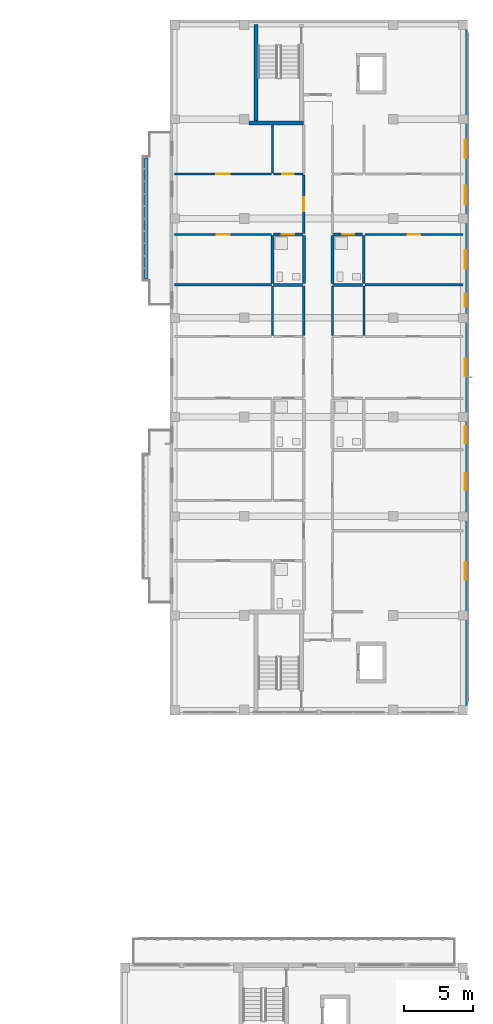
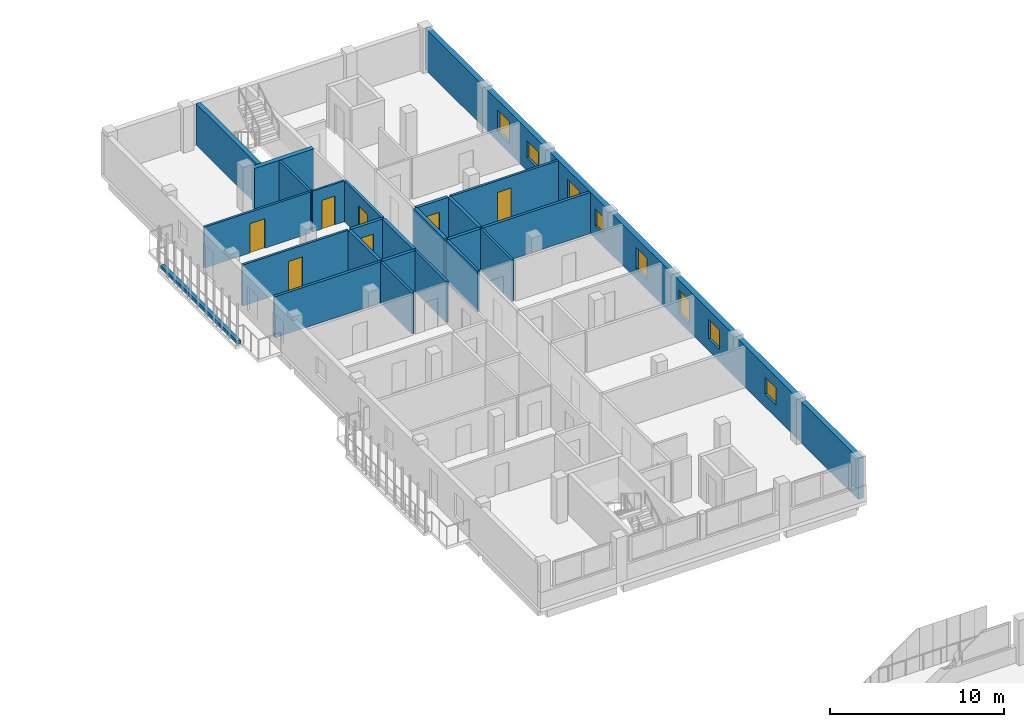
# One storey, part 38 of 56: 24 walls, 8 windows, 7 doors, 15 openings.
"""IFC4 building model written with IfcOpenShell, lengths in metres."""

import ifcopenshell
import ifcopenshell.guid

model = None  # the IFC model being written
_history = None  # IfcOwnerHistory: only IFC2X3 demands one
_inside = {}  # id of a spatial element -> (the spatial element, [elements in it])
_under = {}  # id of a project, library or spatial element -> (it, [spatial elements below it])
_declared = {}  # id of a project -> (the project, [libraries it declares])
_typed = {}  # id of a type object -> (the type object, [elements of that type])
_made_of = {}  # id of a material, layer set ... -> (it, [elements and type objects made of it])


def new_model(schema):
    """Start an empty IFC model of exactly this schema.

    Asked for "IFC4X3", IfcOpenShell would pick the latest addendum, in which some entities
    have other attributes; the version numbers below select the first issue.
    IFC2X3 requires an IfcOwnerHistory on every rooted entity: one is made here for all.
    """
    global model, _history
    if schema == "IFC4X3":
        model = ifcopenshell.file(schema_version=(4, 3, 0, 0))
    else:
        model = ifcopenshell.file(schema=schema)
    _inside.clear()
    _under.clear()
    _declared.clear()
    _typed.clear()
    _made_of.clear()
    _history = None
    if model.schema == "IFC2X3":
        org = make("IfcOrganization", Name="unknown")
        user = make(
            "IfcPersonAndOrganization",
            ThePerson=make("IfcPerson", FamilyName="unknown"),
            TheOrganization=org,
        )
        app = make(
            "IfcApplication",
            ApplicationDeveloper=org,
            Version="unknown",
            ApplicationFullName="unknown",
            ApplicationIdentifier="unknown",
        )
        _history = make(
            "IfcOwnerHistory",
            OwningUser=user,
            OwningApplication=app,
            ChangeAction="ADDED",
            CreationDate=0,
        )
    return model


def make(cls, **values):
    """One entity of the class cls with the attributes given. An attribute that is None is left unset."""
    return model.create_entity(
        cls, **{name: value for name, value in values.items() if value is not None}
    )


def rooted(cls, **values):
    """An entity with a GlobalId (a new one), such as an element, a storey or a relation."""
    return make(cls, GlobalId=ifcopenshell.guid.new(), OwnerHistory=_history, **values)


def si_unit(unit_type, name, prefix=None):
    """IfcSIUnit, for example si_unit("LENGTHUNIT", "METRE", prefix="MILLI")."""
    return make("IfcSIUnit", UnitType=unit_type, Prefix=prefix, Name=name)


def derived_unit(unit_type, elements):
    """IfcDerivedUnit: a product of units, each with its exponent."""
    return make(
        "IfcDerivedUnit",
        Elements=[
            make("IfcDerivedUnitElement", Unit=unit, Exponent=power)
            for unit, power in elements
        ],
        UnitType=unit_type,
    )


def assignment(units):
    """IfcUnitAssignment: the units of a project."""
    return None if units is None else make("IfcUnitAssignment", Units=units)


def point(xyz):
    """IfcCartesianPoint."""
    return None if xyz is None else make("IfcCartesianPoint", Coordinates=xyz)


def direction(xyz):
    """IfcDirection."""
    return None if xyz is None else make("IfcDirection", DirectionRatios=xyz)


def frame(location, z_axis=None, x_axis=None):
    """IfcAxis2Placement3D, a coordinate frame: its origin and axes. An axis left out is left unset."""
    return make(
        "IfcAxis2Placement3D",
        Location=point(location),
        Axis=direction(z_axis),
        RefDirection=direction(x_axis),
    )


def frame_2d(location, x_axis=None):
    """IfcAxis2Placement2D, a coordinate frame in the plane: its origin and x axis."""
    return make(
        "IfcAxis2Placement2D", Location=point(location), RefDirection=direction(x_axis)
    )


def origin():
    """The frame at (0, 0, 0) with its axes left unset."""
    return frame((0.0, 0.0, 0.0))


def place(relative_to, where):
    """IfcLocalPlacement: puts the frame where relative to a parent placement (None: the world)."""
    return make(
        "IfcLocalPlacement", PlacementRelTo=relative_to, RelativePlacement=where
    )


def context(
    kind, dimensions, precision=None, world=None, true_north=None, identifier=None
):
    """IfcGeometricRepresentationContext, for example the 3D "Model" context."""
    return make(
        "IfcGeometricRepresentationContext",
        ContextIdentifier=identifier,
        ContextType=kind,
        CoordinateSpaceDimension=dimensions,
        Precision=precision,
        WorldCoordinateSystem=world,
        TrueNorth=true_north,
    )


def subcontext(parent, identifier, kind, view, scale=None):
    """IfcGeometricRepresentationSubContext, for example "Body" below "Model"."""
    return make(
        "IfcGeometricRepresentationSubContext",
        ContextIdentifier=identifier,
        ContextType=kind,
        ParentContext=parent,
        TargetScale=scale,
        TargetView=view,
    )


def project(units=None, contexts=None):
    """IfcProject with its units and contexts."""
    return rooted(
        "IfcProject",
        Name="project",
        RepresentationContexts=contexts,
        UnitsInContext=assignment(units),
    )


def spatial(cls, under=None, at=None, **own):
    """A site, building, storey or space (cls), placed at a placement, below another one or the project."""
    s = rooted(cls, ObjectPlacement=at, **own)
    if under is not None:
        _under.setdefault(under.id(), (under, []))[1].append(s)
    return s


def profile(cls, at=None, kind="AREA", **sizes):
    """A parametric profile (cls). Its sizes go by their IFC names, for example OverallWidth=200.0."""
    return make(cls, ProfileType=kind, Position=at, **sizes)


def rectangle(**sizes):
    """IfcRectangleProfileDef."""
    return profile("IfcRectangleProfileDef", **sizes)


def extrude(swept, where, along, depth):
    """IfcExtrudedAreaSolid: the profile swept, set in the frame where, extruded along a direction by depth."""
    return make(
        "IfcExtrudedAreaSolid",
        SweptArea=swept,
        Position=where,
        ExtrudedDirection=direction(along),
        Depth=depth,
    )


def shape(context_of_items, identifier, shape_type, items):
    """IfcShapeRepresentation: the items that make up one representation, for example the "Body"."""
    return make(
        "IfcShapeRepresentation",
        ContextOfItems=context_of_items,
        RepresentationIdentifier=identifier,
        RepresentationType=shape_type,
        Items=items,
    )


def material(Name=None, Category=None):
    """IfcMaterial."""
    return make("IfcMaterial", Name=Name, Category=Category)


def layer(
    of_material, thickness, ventilated=None, Name=None, Category=None, Priority=None
):
    """IfcMaterialLayer: one layer of a wall or slab, of a material (None: an air gap)."""
    return make(
        "IfcMaterialLayer",
        Material=of_material,
        LayerThickness=thickness,
        IsVentilated=ventilated,
        Name=Name,
        Category=Category,
        Priority=Priority,
    )


def layer_set(layers, Name=None):
    """IfcMaterialLayerSet."""
    return make("IfcMaterialLayerSet", MaterialLayers=layers, LayerSetName=Name)


def made_of(thing, what):
    """Note that an element or type object is made of a material, layer set ...; save() writes the relation."""
    if what is not None:
        _made_of.setdefault(what.id(), (what, []))[1].append(thing)
    return thing


def type_object(cls, material=None, **own):
    """A type object (cls), such as IfcWallType, which elements share."""
    return made_of(rooted(cls, **own), material)


def element(
    cls,
    number,
    at=None,
    inside=None,
    cuts=None,
    type_object=None,
    material=None,
    context=None,
    identifier="Body",
    shape_type=None,
    held_by="IfcProductDefinitionShape",
    body=None,
    shapes=None,
    **own,
):
    """One element of the class cls, such as IfcWall. Its Tag is "e" and its number.

    at: its placement. inside: the storey or other place that contains it. cuts: it is an
    opening in that element (IfcRelVoidsElement). A single representation is given by context,
    identifier, shape_type and body (its items); several are given by shapes. held_by: the class
    of the entity that holds the representations. save() writes the other relations.
    """
    e = rooted(cls, Tag="e%d" % number, ObjectPlacement=at, **own)
    if body is not None:
        shapes = [shape(context, identifier, shape_type, body)]
    if shapes is not None:
        e.Representation = make(held_by, Representations=shapes)
    if inside is not None:
        _inside.setdefault(inside.id(), (inside, []))[1].append(e)
    if cuts is not None:
        rooted(
            "IfcRelVoidsElement", RelatingBuildingElement=cuts, RelatedOpeningElement=e
        )
    if type_object is not None:
        _typed.setdefault(type_object.id(), (type_object, []))[1].append(e)
    return made_of(e, material)


def fill(opening, filler):
    """IfcRelFillsElement: the door or window that sits in an opening."""
    return rooted(
        "IfcRelFillsElement",
        RelatingOpeningElement=opening,
        RelatedBuildingElement=filler,
    )


def aggregate(whole, parts):
    """IfcRelAggregates: a whole, such as a stair, and the parts it consists of."""
    return rooted("IfcRelAggregates", RelatingObject=whole, RelatedObjects=parts)


def save(model, path):
    """Write the relations noted so far, then the file.

    IfcRelAggregates (storeys below a building ...), IfcRelContainedInSpatialStructure (elements
    in a storey), IfcRelDefinesByType, IfcRelAssociatesMaterial and IfcRelDeclares: one each for
    every whole, place, type object, material and project.
    """
    for whole, parts in _under.values():
        aggregate(whole, parts)
    for where, things in _inside.values():
        rooted(
            "IfcRelContainedInSpatialStructure",
            RelatedElements=things,
            RelatingStructure=where,
        )
    for kind, things in _typed.values():
        rooted("IfcRelDefinesByType", RelatedObjects=things, RelatingType=kind)
    for what, things in _made_of.values():
        rooted("IfcRelAssociatesMaterial", RelatedObjects=things, RelatingMaterial=what)
    for by, libraries in _declared.values():
        rooted("IfcRelDeclares", RelatingContext=by, RelatedDefinitions=libraries)
    model.write(path)


model = new_model("IFC4")

# Units and contexts
model_context = context("Model", 3, precision=1e-05, world=origin(), true_north=direction((0.0, 1.0)))
body_context = subcontext(model_context, "Body", "Model", "MODEL_VIEW")
ifc_project = project(units=[si_unit("LENGTHUNIT", "METRE"), si_unit("AREAUNIT", "SQUARE_METRE"), si_unit("VOLUMEUNIT", "CUBIC_METRE"), si_unit("PLANEANGLEUNIT", "RADIAN"), si_unit("MASSUNIT", "GRAM", prefix="KILO"), derived_unit("THERMALTRANSMITTANCEUNIT", [(si_unit("MASSUNIT", "GRAM", prefix="KILO"), 1), (si_unit("TIMEUNIT", "SECOND"), -3), (si_unit("THERMODYNAMICTEMPERATUREUNIT", "KELVIN"), -1)])], contexts=[model_context])

# Site, building, storey
site_placement = place(None, origin())
site = spatial("IfcSite", under=ifc_project, at=site_placement, CompositionType="ELEMENT")
building_placement = place(site_placement, origin())
building = spatial("IfcBuilding", under=site, at=building_placement, Name="Ochrekiln Boulevard Commons", CompositionType="ELEMENT")
storey_placement = place(building_placement, frame((0.0, 0.0, 12.074951171875)))
storey = spatial("IfcBuildingStorey", under=building, at=storey_placement, Name="L03", CompositionType="ELEMENT", Elevation=12.074951171875)

# Wall, openings, windows
ifc_material_1 = material(Name="Iron-spot brown clinker brick masonry ASTM C216 Grade SW", Category="masonry")
ifc_layer_1 = layer(ifc_material_1, 0.340087890625)
ifc_layer_set_1 = layer_set([ifc_layer_1], Name="Iron-spot brown clinker brick masonry ASTM C216 Grade SW")
wall_type_1 = type_object("IfcWallType", Name="WL-EXT-IRON-340", PredefinedType="SOLIDWALL", material=ifc_layer_set_1)
wall_1_placement = place(storey_placement, frame((172.6298828125, 68.739990234375, 0.0), z_axis=(0.0, 0.0, 1.0), x_axis=(0.0, 1.0, 0.0)))
wall_1 = element("IfcWall", 1, at=wall_1_placement, inside=storey, type_object=wall_type_1, Name="Block B L03 E Exterior Wall", PredefinedType="SOLIDWALL", context=body_context, shape_type="SweptSolid", body=[
    extrude(rectangle(XDim=49.719970703125, YDim=0.340087890625, at=frame_2d((24.85986328125, 0.0))), origin(), (0.0, 0.0, 1.0), 2.89013671875),
])
opening_1_placement = place(wall_1_placement, frame((9.471923828125, 0.0, 0.89990234375)))
opening_1 = element("IfcOpeningElement", 2, at=opening_1_placement, cuts=wall_1, Name="Opening W-16", PredefinedType="OPENING", context=body_context, shape_type="SweptSolid", body=[
    extrude(rectangle(XDim=1.25, YDim=1.199951171875, at=frame_2d((0.625, 0.60009765625))), frame((0.0, 0.179931640625, 0.0), z_axis=(0.0, -1.0, 0.0), x_axis=(1.0, 0.0, 0.0)), (0.0, 0.0, 1.0), 0.360107421875),
])
opening_2_placement = place(wall_1_placement, frame((15.93310546875, 0.0, 0.85498046875)))
opening_2 = element("IfcOpeningElement", 3, at=opening_2_placement, cuts=wall_1, Name="Opening W-17", PredefinedType="OPENING", context=body_context, shape_type="SweptSolid", body=[
    extrude(rectangle(XDim=1.25, YDim=1.35009765625, at=frame_2d((0.625, 0.675048828125))), frame((0.0, 0.179931640625, 0.0), z_axis=(0.0, -1.0, 0.0), x_axis=(1.0, 0.0, 0.0)), (0.0, 0.0, 1.0), 0.360107421875),
])
opening_3_placement = place(wall_1_placement, frame((24.235107421875, 0.0, 0.705078125)))
opening_3 = element("IfcOpeningElement", 4, at=opening_3_placement, cuts=wall_1, Name="Opening W-18", PredefinedType="OPENING", context=body_context, shape_type="SweptSolid", body=[
    extrude(rectangle(XDim=1.25, YDim=1.5, at=frame_2d((0.625, 0.75))), frame((0.0, 0.179931640625, 0.0), z_axis=(0.0, -1.0, 0.0), x_axis=(1.0, 0.0, 0.0)), (0.0, 0.0, 1.0), 0.360107421875),
])
opening_4_placement = place(wall_1_placement, frame((19.35302734375, 0.0, 0.554931640625)))
opening_4 = element("IfcOpeningElement", 5, at=opening_4_placement, cuts=wall_1, Name="Opening W-19", PredefinedType="OPENING", context=body_context, shape_type="SweptSolid", body=[
    extrude(rectangle(XDim=1.25, YDim=1.64990234375, at=frame_2d((0.625, 0.824951171875))), frame((0.0, 0.179931640625, 0.0), z_axis=(0.0, -1.0, 0.0), x_axis=(1.0, 0.0, 0.0)), (0.0, 0.0, 1.0), 0.360107421875),
])
opening_5_placement = place(wall_1_placement, frame((29.26708984375, 0.0, 0.85009765625)))
opening_5 = element("IfcOpeningElement", 6, at=opening_5_placement, cuts=wall_1, Name="Opening W-01", PredefinedType="OPENING", context=body_context, shape_type="SweptSolid", body=[
    extrude(rectangle(XDim=0.949951171875, YDim=1.199951171875, at=frame_2d((0.47509765625, 0.60009765625))), frame((0.0, 0.179931640625, 0.0), z_axis=(0.0, -1.0, 0.0), x_axis=(1.0, 0.0, 0.0)), (0.0, 0.0, 1.0), 0.360107421875),
])
opening_6_placement = place(wall_1_placement, frame((36.694091796875, 0.0, 0.89990234375)))
opening_6 = element("IfcOpeningElement", 7, at=opening_6_placement, cuts=wall_1, Name="Opening W-21", PredefinedType="OPENING", context=body_context, shape_type="SweptSolid", body=[
    extrude(rectangle(XDim=1.35009765625, YDim=1.199951171875, at=frame_2d((0.675048828125, 0.60009765625))), frame((0.0, 0.179931640625, 0.0), z_axis=(0.0, -1.0, 0.0), x_axis=(1.0, 0.0, 0.0)), (0.0, 0.0, 1.0), 0.360107421875),
])
opening_7_placement = place(wall_1_placement, frame((32.006103515625, 0.0, 0.85498046875)))
opening_7 = element("IfcOpeningElement", 8, at=opening_7_placement, cuts=wall_1, Name="Opening W-22", PredefinedType="OPENING", context=body_context, shape_type="SweptSolid", body=[
    extrude(rectangle(XDim=1.35009765625, YDim=1.35009765625, at=frame_2d((0.675048828125, 0.675048828125))), frame((0.0, 0.179931640625, 0.0), z_axis=(0.0, -1.0, 0.0), x_axis=(1.0, 0.0, 0.0)), (0.0, 0.0, 1.0), 0.360107421875),
])
opening_8_placement = place(wall_1_placement, frame((40.0380859375, 0.0, 0.705078125)))
opening_8 = element("IfcOpeningElement", 9, at=opening_8_placement, cuts=wall_1, Name="Opening W-23", PredefinedType="OPENING", context=body_context, shape_type="SweptSolid", body=[
    extrude(rectangle(XDim=1.35009765625, YDim=1.5, at=frame_2d((0.675048828125, 0.75))), frame((0.0, 0.179931640625, 0.0), z_axis=(0.0, -1.0, 0.0), x_axis=(1.0, 0.0, 0.0)), (0.0, 0.0, 1.0), 0.360107421875),
])
ifc_material_2 = material(Name="Thermally broken aluminium-clad oak frame", Category="aluminium")
window_type_1 = type_object("IfcWindowType", Name="WIN-EXT-01", PartitioningType="SINGLE_PANEL", PredefinedType="WINDOW", material=ifc_material_2)
window_1_placement = place(opening_5_placement, origin())
window_1 = element("IfcWindow", 10, at=window_1_placement, inside=storey, type_object=window_type_1, Name="Block B L03 Punched Masonry Window W-01", OverallHeight=1.199951171875, OverallWidth=0.949951171875, PartitioningType="SINGLE_PANEL", PredefinedType="WINDOW", context=body_context, shape_type="SweptSolid", body=[
    extrude(rectangle(XDim=0.949951171875, YDim=1.199951171875, at=frame_2d((0.47509765625, 0.60009765625))), frame((0.0, 0.030029296875, 0.0), z_axis=(0.0, -1.0, 0.0), x_axis=(1.0, 0.0, 0.0)), (0.0, 0.0, 1.0), 0.06005859375),
])
fill(opening_5, window_1)
window_type_2 = type_object("IfcWindowType", Name="WIN-EXT-16", PartitioningType="SINGLE_PANEL", PredefinedType="WINDOW", material=ifc_material_2)
window_2_placement = place(opening_1_placement, origin())
window_2 = element("IfcWindow", 11, at=window_2_placement, inside=storey, type_object=window_type_2, Name="Block B L03 Punched Masonry Window W-16", OverallHeight=1.199951171875, OverallWidth=1.25, PartitioningType="SINGLE_PANEL", PredefinedType="WINDOW", context=body_context, shape_type="SweptSolid", body=[
    extrude(rectangle(XDim=1.25, YDim=1.199951171875, at=frame_2d((0.625, 0.60009765625))), frame((0.0, 0.030029296875, 0.0), z_axis=(0.0, -1.0, 0.0), x_axis=(1.0, 0.0, 0.0)), (0.0, 0.0, 1.0), 0.06005859375),
])
fill(opening_1, window_2)
window_type_3 = type_object("IfcWindowType", Name="WIN-EXT-17", PartitioningType="SINGLE_PANEL", PredefinedType="WINDOW", material=ifc_material_2)
window_3_placement = place(opening_2_placement, origin())
window_3 = element("IfcWindow", 12, at=window_3_placement, inside=storey, type_object=window_type_3, Name="Block B L03 Punched Masonry Window W-17", OverallHeight=1.35009765625, OverallWidth=1.25, PartitioningType="SINGLE_PANEL", PredefinedType="WINDOW", context=body_context, shape_type="SweptSolid", body=[
    extrude(rectangle(XDim=1.25, YDim=1.35009765625, at=frame_2d((0.625, 0.675048828125))), frame((0.0, 0.030029296875, 0.0), z_axis=(0.0, -1.0, 0.0), x_axis=(1.0, 0.0, 0.0)), (0.0, 0.0, 1.0), 0.06005859375),
])
fill(opening_2, window_3)
window_type_4 = type_object("IfcWindowType", Name="WIN-EXT-18", PartitioningType="SINGLE_PANEL", PredefinedType="WINDOW", material=ifc_material_2)
window_4_placement = place(opening_3_placement, origin())
window_4 = element("IfcWindow", 13, at=window_4_placement, inside=storey, type_object=window_type_4, Name="Block B L03 Punched Masonry Window W-18", OverallHeight=1.5, OverallWidth=1.25, PartitioningType="SINGLE_PANEL", PredefinedType="WINDOW", context=body_context, shape_type="SweptSolid", body=[
    extrude(rectangle(XDim=1.25, YDim=1.5, at=frame_2d((0.625, 0.75))), frame((0.0, 0.030029296875, 0.0), z_axis=(0.0, -1.0, 0.0), x_axis=(1.0, 0.0, 0.0)), (0.0, 0.0, 1.0), 0.06005859375),
])
fill(opening_3, window_4)
window_type_5 = type_object("IfcWindowType", Name="WIN-EXT-19", PartitioningType="SINGLE_PANEL", PredefinedType="WINDOW", material=ifc_material_2)
window_5_placement = place(opening_4_placement, origin())
window_5 = element("IfcWindow", 14, at=window_5_placement, inside=storey, type_object=window_type_5, Name="Block B L03 Punched Masonry Window W-19", OverallHeight=1.64990234375, OverallWidth=1.25, PartitioningType="SINGLE_PANEL", PredefinedType="WINDOW", context=body_context, shape_type="SweptSolid", body=[
    extrude(rectangle(XDim=1.25, YDim=1.64990234375, at=frame_2d((0.625, 0.824951171875))), frame((0.0, 0.030029296875, 0.0), z_axis=(0.0, -1.0, 0.0), x_axis=(1.0, 0.0, 0.0)), (0.0, 0.0, 1.0), 0.06005859375),
])
fill(opening_4, window_5)
window_type_6 = type_object("IfcWindowType", Name="WIN-EXT-21", PartitioningType="SINGLE_PANEL", PredefinedType="WINDOW", material=ifc_material_2)
window_6_placement = place(opening_6_placement, origin())
window_6 = element("IfcWindow", 15, at=window_6_placement, inside=storey, type_object=window_type_6, Name="Block B L03 Punched Masonry Window W-21", OverallHeight=1.199951171875, OverallWidth=1.35009765625, PartitioningType="SINGLE_PANEL", PredefinedType="WINDOW", context=body_context, shape_type="SweptSolid", body=[
    extrude(rectangle(XDim=1.35009765625, YDim=1.199951171875, at=frame_2d((0.675048828125, 0.60009765625))), frame((0.0, 0.030029296875, 0.0), z_axis=(0.0, -1.0, 0.0), x_axis=(1.0, 0.0, 0.0)), (0.0, 0.0, 1.0), 0.06005859375),
])
fill(opening_6, window_6)
window_type_7 = type_object("IfcWindowType", Name="WIN-EXT-22", PartitioningType="SINGLE_PANEL", PredefinedType="WINDOW", material=ifc_material_2)
window_7_placement = place(opening_7_placement, origin())
window_7 = element("IfcWindow", 16, at=window_7_placement, inside=storey, type_object=window_type_7, Name="Block B L03 Punched Masonry Window W-22", OverallHeight=1.35009765625, OverallWidth=1.35009765625, PartitioningType="SINGLE_PANEL", PredefinedType="WINDOW", context=body_context, shape_type="SweptSolid", body=[
    extrude(rectangle(XDim=1.35009765625, YDim=1.35009765625, at=frame_2d((0.675048828125, 0.675048828125))), frame((0.0, 0.030029296875, 0.0), z_axis=(0.0, -1.0, 0.0), x_axis=(1.0, 0.0, 0.0)), (0.0, 0.0, 1.0), 0.06005859375),
])
fill(opening_7, window_7)
window_type_8 = type_object("IfcWindowType", Name="WIN-EXT-23", PartitioningType="SINGLE_PANEL", PredefinedType="WINDOW", material=ifc_material_2)
window_8_placement = place(opening_8_placement, origin())
window_8 = element("IfcWindow", 17, at=window_8_placement, inside=storey, type_object=window_type_8, Name="Block B L03 Punched Masonry Window W-23", OverallHeight=1.5, OverallWidth=1.35009765625, PartitioningType="SINGLE_PANEL", PredefinedType="WINDOW", context=body_context, shape_type="SweptSolid", body=[
    extrude(rectangle(XDim=1.35009765625, YDim=1.5, at=frame_2d((0.675048828125, 0.75))), frame((0.0, 0.030029296875, 0.0), z_axis=(0.0, -1.0, 0.0), x_axis=(1.0, 0.0, 0.0)), (0.0, 0.0, 1.0), 0.06005859375),
])
fill(opening_8, window_8)

# Wall
ifc_material_3 = material(Name="Moisture-resistant cementitious tile backer wall")
ifc_layer_2 = layer(ifc_material_3, 0.199951171875)
ifc_layer_set_2 = layer_set([ifc_layer_2], Name="Moisture-resistant cementitious tile backer wall")
wall_type_2 = type_object("IfcWallType", Name="WL-PLM-200", PredefinedType="PLUMBINGWALL", material=ifc_layer_set_2)
wall_2_placement = place(storey_placement, frame((158.715087890625, 99.583984375, 0.0), z_axis=(0.0, 0.0, 1.0), x_axis=(1.0, 0.0, 0.0)))
element("IfcWall", 18, at=wall_2_placement, inside=storey, type_object=wall_type_2, Name="L03 Interior Wall W-PW200", PredefinedType="PLUMBINGWALL", context=body_context, shape_type="SweptSolid", body=[
    extrude(rectangle(XDim=2.11181640625, YDim=0.199951171875, at=frame_2d((1.055908203125, 0.0))), origin(), (0.0, 0.0, 1.0), 2.8701171875),
])

# Wall, opening, door
wall_3_placement = place(storey_placement, frame((158.719970703125, 103.2470703125, 0.0), z_axis=(0.0, 0.0, 1.0), x_axis=(1.0, 0.0, 0.0)))
wall_3 = element("IfcWall", 19, at=wall_3_placement, inside=storey, type_object=wall_type_2, Name="L03 Interior Wall W-PW200", PredefinedType="PLUMBINGWALL", context=body_context, shape_type="SweptSolid", body=[
    extrude(rectangle(XDim=2.10693359375, YDim=0.199951171875, at=frame_2d((1.053466796875, 0.0))), origin(), (0.0, 0.0, 1.0), 2.8701171875),
])
opening_9_placement = place(wall_3_placement, frame((0.60498046875, 0.0, 0.0)))
opening_9 = element("IfcOpeningElement", 20, at=opening_9_placement, cuts=wall_3, Name="Opening D-L03-490", PredefinedType="OPENING", context=body_context, shape_type="SweptSolid", body=[
    extrude(rectangle(XDim=0.889892578125, YDim=2.030029296875, at=frame_2d((0.44482421875, 1.01513671875))), frame((0.0, 0.10986328125, 0.0), z_axis=(0.0, -1.0, 0.0), x_axis=(1.0, 0.0, 0.0)), (0.0, 0.0, 1.0), 0.219970703125),
])
ifc_material_4 = material(Name="Solid core architectural oak door leaf")
door_type_1 = type_object("IfcDoorType", Name="DR-INT-BTH-089", OperationType="NOTDEFINED", PredefinedType="DOOR", material=ifc_material_4)
door_1_placement = place(opening_9_placement, frame((0.889892578125, 0.0, 0.0), z_axis=(0.0, 0.0, 1.0), x_axis=(-1.0, 0.0, 0.0)))
door_1 = element("IfcDoor", 21, at=door_1_placement, inside=storey, type_object=door_type_1, Name="L03 Interior Door to Apartment Bathroom", OperationType="SINGLE_SWING_RIGHT", OverallHeight=2.030029296875, OverallWidth=0.889892578125, PredefinedType="DOOR", context=body_context, shape_type="SweptSolid", body=[
    extrude(rectangle(XDim=0.889892578125, YDim=2.030029296875, at=frame_2d((0.44482421875, 1.01513671875))), frame((0.0, 0.02490234375, 0.0), z_axis=(0.0, -1.0, 0.0), x_axis=(1.0, 0.0, 0.0)), (0.0, 0.0, 1.0), 0.050048828125),
])
fill(opening_9, door_1)

# Walls
wall_4_placement = place(storey_placement, frame((158.639892578125, 99.674072265625, 0.0), z_axis=(0.0, 0.0, 1.0), x_axis=(0.0, 1.0, 0.0)))
element("IfcWall", 22, at=wall_4_placement, inside=storey, type_object=wall_type_2, Name="L03 Interior Wall W-PW200", PredefinedType="PLUMBINGWALL", context=body_context, shape_type="SweptSolid", body=[
    extrude(rectangle(XDim=3.492919921875, YDim=0.199951171875, at=frame_2d((1.74658203125, 0.0))), origin(), (0.0, 0.0, 1.0), 2.8701171875),
])
wall_5_placement = place(storey_placement, frame((163.072998046875, 99.583984375, 0.0), z_axis=(0.0, 0.0, 1.0), x_axis=(1.0, 0.0, 0.0)))
element("IfcWall", 23, at=wall_5_placement, inside=storey, type_object=wall_type_2, Name="L03 Interior Wall W-PW200", PredefinedType="PLUMBINGWALL", context=body_context, shape_type="SweptSolid", body=[
    extrude(rectangle(XDim=2.10693359375, YDim=0.199951171875, at=frame_2d((1.053466796875, 0.0))), origin(), (0.0, 0.0, 1.0), 2.8701171875),
])

# Wall, opening, door
wall_6_placement = place(storey_placement, frame((163.072998046875, 103.2470703125, 0.0), z_axis=(0.0, 0.0, 1.0), x_axis=(1.0, 0.0, 0.0)))
wall_6 = element("IfcWall", 24, at=wall_6_placement, inside=storey, type_object=wall_type_2, Name="L03 Interior Wall W-PW200", PredefinedType="PLUMBINGWALL", context=body_context, shape_type="SweptSolid", body=[
    extrude(rectangle(XDim=2.10693359375, YDim=0.199951171875, at=frame_2d((1.053466796875, 0.0))), origin(), (0.0, 0.0, 1.0), 2.8701171875),
])
opening_10_placement = place(wall_6_placement, frame((0.612060546875, 0.0, 0.0)))
opening_10 = element("IfcOpeningElement", 25, at=opening_10_placement, cuts=wall_6, Name="Opening D-L03-498", PredefinedType="OPENING", context=body_context, shape_type="SweptSolid", body=[
    extrude(rectangle(XDim=0.889892578125, YDim=2.030029296875, at=frame_2d((0.44482421875, 1.01513671875))), frame((0.0, 0.10986328125, 0.0), z_axis=(0.0, -1.0, 0.0), x_axis=(1.0, 0.0, 0.0)), (0.0, 0.0, 1.0), 0.219970703125),
])
door_2_placement = place(opening_10_placement, frame((0.889892578125, 0.0, 0.0), z_axis=(0.0, 0.0, 1.0), x_axis=(-1.0, 0.0, 0.0)))
door_2 = element("IfcDoor", 26, at=door_2_placement, inside=storey, type_object=door_type_1, Name="L03 Interior Door to Apartment Bathroom", OperationType="SINGLE_SWING_RIGHT", OverallHeight=2.030029296875, OverallWidth=0.889892578125, PredefinedType="DOOR", context=body_context, shape_type="SweptSolid", body=[
    extrude(rectangle(XDim=0.889892578125, YDim=2.030029296875, at=frame_2d((0.44482421875, 1.01513671875))), frame((0.0, 0.02490234375, 0.0), z_axis=(0.0, -1.0, 0.0), x_axis=(1.0, 0.0, 0.0)), (0.0, 0.0, 1.0), 0.050048828125),
])
fill(opening_10, door_2)

# Walls
wall_7_placement = place(storey_placement, frame((165.260009765625, 99.674072265625, 0.0), z_axis=(0.0, 0.0, 1.0), x_axis=(0.0, 1.0, 0.0)))
element("IfcWall", 27, at=wall_7_placement, inside=storey, type_object=wall_type_2, Name="L03 Interior Wall W-PW200", PredefinedType="PLUMBINGWALL", context=body_context, shape_type="SweptSolid", body=[
    extrude(rectangle(XDim=3.492919921875, YDim=0.199951171875, at=frame_2d((1.74658203125, 0.0))), origin(), (0.0, 0.0, 1.0), 2.8701171875),
])
ifc_layer_3 = layer(ifc_material_3, 0.219970703125)
ifc_layer_set_3 = layer_set([ifc_layer_3], Name="Moisture-resistant cementitious tile backer wall")
wall_type_3 = type_object("IfcWallType", Name="WL-PLM-220", PredefinedType="PLUMBINGWALL", material=ifc_layer_set_3)
for number, where, z_axis, x_axis, name in (
    (28, (160.909912109375, 99.674072265625, 0.0), (0.0, 0.0, 1.0), (0.0, 1.0, 0.0), "L03 Interior Wall W-PW220"),
    (29, (162.989990234375, 99.674072265625, 0.0), (0.0, 0.0, 1.0), (0.0, 1.0, 0.0), "L03 Interior Wall W-PW220"),
):
    element("IfcWall", number, at=place(storey_placement, frame(where, z_axis=z_axis, x_axis=x_axis)), inside=storey, type_object=wall_type_3, Name=name, PredefinedType="PLUMBINGWALL", context=body_context, shape_type="SweptSolid", body=[
        extrude(rectangle(XDim=3.492919921875, YDim=0.219970703125, at=frame_2d((1.74658203125, 0.0))), origin(), (0.0, 0.0, 1.0), 2.8701171875),
    ])
ifc_material_5 = material(Name="Glazed architectural terracotta ASTM C1405", Category="masonry")
ifc_layer_4 = layer(ifc_material_5, 0.25)
ifc_layer_set_4 = layer_set([ifc_layer_4], Name="Glazed architectural terracotta ASTM C1405")
wall_type_4 = type_object("IfcWallType", Name="WL-PLN-250", PredefinedType="PARAPET", material=ifc_layer_set_4)
wall_8_placement = place(storey_placement, frame((149.47998046875, 100.010009765625, 0.0), z_axis=(0.0, 0.0, 1.0), x_axis=(0.0, 1.0, 0.0)))
element("IfcWall", 30, at=wall_8_placement, inside=storey, type_object=wall_type_4, Name="Block B L03 Balcony Terracotta Planter Box 2", PredefinedType="PARAPET", context=body_context, shape_type="SweptSolid", body=[
    extrude(rectangle(XDim=8.780029296875, YDim=0.25, at=frame_2d((4.39013671875, 0.0))), origin(), (0.0, 0.0, 1.0), 0.22998046875),
])
ifc_material_6 = material(Name="Fire-rated Type X gypsum board on steel studs", Category="steel")
ifc_layer_5 = layer(ifc_material_6, 0.1650390625)
ifc_layer_set_5 = layer_set([ifc_layer_5], Name="Fire-rated Type X gypsum board on steel studs")
wall_type_5 = type_object("IfcWallType", Name="WL-PT-CORR-165", PredefinedType="PARTITIONING", material=ifc_layer_set_5)
wall_9_placement = place(storey_placement, frame((160.909912109375, 95.919921875, 0.0), z_axis=(0.0, 0.0, 1.0), x_axis=(0.0, 1.0, 0.0)))
element("IfcWall", 31, at=wall_9_placement, inside=storey, type_object=wall_type_5, Name="L03 Interior Wall W-PC165", PredefinedType="PARTITIONING", context=body_context, shape_type="SweptSolid", body=[
    extrude(rectangle(XDim=3.573974609375, YDim=0.1650390625, at=frame_2d((1.787109375, 0.0))), origin(), (0.0, 0.0, 1.0), 2.8701171875),
])

# Wall, opening, door
wall_10_placement = place(storey_placement, frame((160.909912109375, 103.326904296875, 0.0), z_axis=(0.0, 0.0, 1.0), x_axis=(0.0, 1.0, 0.0)))
wall_10 = element("IfcWall", 32, at=wall_10_placement, inside=storey, type_object=wall_type_5, Name="L03 Interior Wall W-PC165", PredefinedType="PARTITIONING", context=body_context, shape_type="SweptSolid", body=[
    extrude(rectangle(XDim=4.22021484375, YDim=0.1650390625, at=frame_2d((2.110107421875, 0.0))), origin(), (0.0, 0.0, 1.0), 2.8701171875),
])
opening_11_placement = place(wall_10_placement, frame((1.60498046875, 0.0, 0.0)))
opening_11 = element("IfcOpeningElement", 33, at=opening_11_placement, cuts=wall_10, Name="Opening D-L03-477", PredefinedType="OPENING", context=body_context, shape_type="SweptSolid", body=[
    extrude(rectangle(XDim=1.010009765625, YDim=2.110107421875, at=frame_2d((0.5048828125, 1.05517578125))), frame((0.0, 0.092529296875, 0.0), z_axis=(0.0, -1.0, 0.0), x_axis=(1.0, 0.0, 0.0)), (0.0, 0.0, 1.0), 0.18505859375),
])
door_type_2 = type_object("IfcDoorType", Name="DR-INT-APT-101", OperationType="NOTDEFINED", PredefinedType="DOOR", material=ifc_material_4)
door_3_placement = place(opening_11_placement, origin())
door_3 = element("IfcDoor", 34, at=door_3_placement, inside=storey, type_object=door_type_2, Name="L03 Interior Door to Two-Bedroom Apartment Living Room", OperationType="SINGLE_SWING_LEFT", OverallHeight=2.110107421875, OverallWidth=1.010009765625, PredefinedType="DOOR", context=body_context, shape_type="SweptSolid", body=[
    extrude(rectangle(XDim=1.010009765625, YDim=2.110107421875, at=frame_2d((0.5048828125, 1.05517578125))), frame((0.0, 0.02490234375, 0.0), z_axis=(0.0, -1.0, 0.0), x_axis=(1.0, 0.0, 0.0)), (0.0, 0.0, 1.0), 0.050048828125),
])
fill(opening_11, door_3)

# Walls
wall_11_placement = place(storey_placement, frame((162.989990234375, 95.919921875, 0.0), z_axis=(0.0, 0.0, 1.0), x_axis=(0.0, 1.0, 0.0)))
element("IfcWall", 35, at=wall_11_placement, inside=storey, type_object=wall_type_5, Name="L03 Interior Wall W-PC165", PredefinedType="PARTITIONING", context=body_context, shape_type="SweptSolid", body=[
    extrude(rectangle(XDim=3.573974609375, YDim=0.1650390625, at=frame_2d((1.787109375, 0.0))), origin(), (0.0, 0.0, 1.0), 2.8701171875),
])
ifc_layer_6 = layer(ifc_material_6, 0.179931640625)
ifc_layer_set_6 = layer_set([ifc_layer_6], Name="Fire-rated Type X gypsum board on steel studs")
wall_type_6 = type_object("IfcWallType", Name="WL-PT-DEM-180", PredefinedType="PARTITIONING", material=ifc_layer_set_6)
wall_12_placement = place(storey_placement, frame((151.5400390625, 99.583984375, 0.0), z_axis=(0.0, 0.0, 1.0), x_axis=(1.0, 0.0, 0.0)))
element("IfcWall", 36, at=wall_12_placement, inside=storey, type_object=wall_type_6, Name="L03 Interior Wall W-PD180", PredefinedType="PARTITIONING", context=body_context, shape_type="SweptSolid", body=[
    extrude(rectangle(XDim=7.02001953125, YDim=0.179931640625, at=frame_2d((3.510009765625, 0.0))), origin(), (0.0, 0.0, 1.0), 2.8701171875),
])
wall_13_placement = place(storey_placement, frame((165.3349609375, 99.583984375, 0.0), z_axis=(0.0, 0.0, 1.0), x_axis=(1.0, 0.0, 0.0)))
element("IfcWall", 37, at=wall_13_placement, inside=storey, type_object=wall_type_6, Name="L03 Interior Wall W-PD180", PredefinedType="PARTITIONING", context=body_context, shape_type="SweptSolid", body=[
    extrude(rectangle(XDim=7.125, YDim=0.179931640625, at=frame_2d((3.5625, 0.0))), origin(), (0.0, 0.0, 1.0), 2.8701171875),
])

# Wall, opening, door
ifc_layer_7 = layer(ifc_material_6, 0.1201171875)
ifc_layer_set_7 = layer_set([ifc_layer_7], Name="Fire-rated Type X gypsum board on steel studs")
wall_type_7 = type_object("IfcWallType", Name="WL-PT-LGT-120", PredefinedType="PARTITIONING", material=ifc_layer_set_7)
wall_14_placement = place(storey_placement, frame((158.719970703125, 107.626953125, 0.0), z_axis=(0.0, 0.0, 1.0), x_axis=(1.0, 0.0, 0.0)))
wall_14 = element("IfcWall", 38, at=wall_14_placement, inside=storey, type_object=wall_type_7, Name="L03 Interior Wall W-PL120", PredefinedType="PARTITIONING", context=body_context, shape_type="SweptSolid", body=[
    extrude(rectangle(XDim=2.10693359375, YDim=0.1201171875, at=frame_2d((1.053466796875, 0.0))), origin(), (0.0, 0.0, 1.0), 2.8701171875),
])
opening_12_placement = place(wall_14_placement, frame((0.625, 0.0, 0.0)))
opening_12 = element("IfcOpeningElement", 39, at=opening_12_placement, cuts=wall_14, Name="Opening D-L03-491", PredefinedType="OPENING", context=body_context, shape_type="SweptSolid", body=[
    extrude(rectangle(XDim=0.85009765625, YDim=2.010009765625, at=frame_2d((0.425048828125, 1.0048828125))), frame((0.0, 0.070068359375, 0.0), z_axis=(0.0, -1.0, 0.0), x_axis=(1.0, 0.0, 0.0)), (0.0, 0.0, 1.0), 0.14013671875),
])
door_type_3 = type_object("IfcDoorType", Name="DR-INT-KIT-085", OperationType="NOTDEFINED", PredefinedType="DOOR", material=ifc_material_4)
door_4_placement = place(opening_12_placement, origin())
door_4 = element("IfcDoor", 40, at=door_4_placement, inside=storey, type_object=door_type_3, Name="L03 Interior Door to Apartment Kitchen", OperationType="SINGLE_SWING_LEFT", OverallHeight=2.010009765625, OverallWidth=0.85009765625, PredefinedType="DOOR", context=body_context, shape_type="SweptSolid", body=[
    extrude(rectangle(XDim=0.85009765625, YDim=2.010009765625, at=frame_2d((0.425048828125, 1.0048828125))), frame((0.0, 0.02490234375, 0.0), z_axis=(0.0, -1.0, 0.0), x_axis=(1.0, 0.0, 0.0)), (0.0, 0.0, 1.0), 0.050048828125),
])
fill(opening_12, door_4)

# Wall
ifc_layer_8 = layer(ifc_material_6, 0.14990234375)
ifc_layer_set_8 = layer_set([ifc_layer_8], Name="Fire-rated Type X gypsum board on steel studs")
wall_type_8 = type_object("IfcWallType", Name="WL-PT-STD-150", PredefinedType="PARTITIONING", material=ifc_layer_set_8)
wall_15_placement = place(storey_placement, frame((158.639892578125, 95.89990234375, 0.0), z_axis=(0.0, 0.0, 1.0), x_axis=(0.0, 1.0, 0.0)))
element("IfcWall", 41, at=wall_15_placement, inside=storey, type_object=wall_type_8, Name="L03 Interior Wall W-PS150", PredefinedType="PARTITIONING", context=body_context, shape_type="SweptSolid", body=[
    extrude(rectangle(XDim=3.593994140625, YDim=0.14990234375, at=frame_2d((1.796875, 0.0))), origin(), (0.0, 0.0, 1.0), 2.8701171875),
])

# Wall, opening, door
wall_16_placement = place(storey_placement, frame((151.5400390625, 103.2470703125, 0.0), z_axis=(0.0, 0.0, 1.0), x_axis=(1.0, 0.0, 0.0)))
wall_16 = element("IfcWall", 42, at=wall_16_placement, inside=storey, type_object=wall_type_8, Name="L03 Interior Wall W-PS150", PredefinedType="PARTITIONING", context=body_context, shape_type="SweptSolid", body=[
    extrude(rectangle(XDim=7.02001953125, YDim=0.14990234375, at=frame_2d((3.510009765625, 0.0))), origin(), (0.0, 0.0, 1.0), 2.8701171875),
])
opening_13_placement = place(wall_16_placement, frame((3.044921875, 0.0, 0.0)))
opening_13 = element("IfcOpeningElement", 43, at=opening_13_placement, cuts=wall_16, Name="Opening D-L03-492", PredefinedType="OPENING", context=body_context, shape_type="SweptSolid", body=[
    extrude(rectangle(XDim=0.93994140625, YDim=2.06005859375, at=frame_2d((0.469970703125, 1.030029296875))), frame((0.0, 0.0849609375, 0.0), z_axis=(0.0, -1.0, 0.0), x_axis=(1.0, 0.0, 0.0)), (0.0, 0.0, 1.0), 0.169921875),
])
door_type_4 = type_object("IfcDoorType", Name="DR-INT-BED-094", OperationType="NOTDEFINED", PredefinedType="DOOR", material=ifc_material_4)
door_5_placement = place(opening_13_placement, frame((0.93994140625, 0.0, 0.0), z_axis=(0.0, 0.0, 1.0), x_axis=(-1.0, 0.0, 0.0)))
door_5 = element("IfcDoor", 44, at=door_5_placement, inside=storey, type_object=door_type_4, Name="L03 Interior Door to Primary Apartment Bedroom", OperationType="SINGLE_SWING_RIGHT", OverallHeight=2.06005859375, OverallWidth=0.93994140625, PredefinedType="DOOR", context=body_context, shape_type="SweptSolid", body=[
    extrude(rectangle(XDim=0.93994140625, YDim=2.06005859375, at=frame_2d((0.469970703125, 1.030029296875))), frame((0.0, 0.02490234375, 0.0), z_axis=(0.0, -1.0, 0.0), x_axis=(1.0, 0.0, 0.0)), (0.0, 0.0, 1.0), 0.050048828125),
])
fill(opening_13, door_5)

wall_17_placement = place(storey_placement, frame((151.5400390625, 107.626953125, 0.0), z_axis=(0.0, 0.0, 1.0), x_axis=(1.0, 0.0, 0.0)))
wall_17 = element("IfcWall", 45, at=wall_17_placement, inside=storey, type_object=wall_type_8, Name="L03 Interior Wall W-PS150", PredefinedType="PARTITIONING", context=body_context, shape_type="SweptSolid", body=[
    extrude(rectangle(XDim=7.02001953125, YDim=0.14990234375, at=frame_2d((3.510009765625, 0.0))), origin(), (0.0, 0.0, 1.0), 2.8701171875),
])
opening_14_placement = place(wall_17_placement, frame((3.014892578125, 0.0, 0.0)))
opening_14 = element("IfcOpeningElement", 46, at=opening_14_placement, cuts=wall_17, Name="Opening D-L03-493", PredefinedType="OPENING", context=body_context, shape_type="SweptSolid", body=[
    extrude(rectangle(XDim=1.0, YDim=2.06005859375, at=frame_2d((0.5, 1.030029296875))), frame((0.0, 0.0849609375, 0.0), z_axis=(0.0, -1.0, 0.0), x_axis=(1.0, 0.0, 0.0)), (0.0, 0.0, 1.0), 0.169921875),
])
door_type_5 = type_object("IfcDoorType", Name="DR-INT-BED-100", OperationType="NOTDEFINED", PredefinedType="DOOR", material=ifc_material_4)
door_6_placement = place(opening_14_placement, origin())
door_6 = element("IfcDoor", 47, at=door_6_placement, inside=storey, type_object=door_type_5, Name="L03 Interior Door to Secondary Apartment Bedroom", OperationType="SINGLE_SWING_LEFT", OverallHeight=2.06005859375, OverallWidth=1.0, PredefinedType="DOOR", context=body_context, shape_type="SweptSolid", body=[
    extrude(rectangle(XDim=1.0, YDim=2.06005859375, at=frame_2d((0.5, 1.030029296875))), frame((0.0, 0.02490234375, 0.0), z_axis=(0.0, -1.0, 0.0), x_axis=(1.0, 0.0, 0.0)), (0.0, 0.0, 1.0), 0.050048828125),
])
fill(opening_14, door_6)

# Walls
wall_18_placement = place(storey_placement, frame((158.639892578125, 107.68701171875, 0.0), z_axis=(0.0, 0.0, 1.0), x_axis=(0.0, 1.0, 0.0)))
element("IfcWall", 48, at=wall_18_placement, inside=storey, type_object=wall_type_8, Name="L03 Interior Wall W-PS150", PredefinedType="PARTITIONING", context=body_context, shape_type="SweptSolid", body=[
    extrude(rectangle(XDim=3.512939453125, YDim=0.14990234375, at=frame_2d((1.75634765625, 0.0))), origin(), (0.0, 0.0, 1.0), 2.8701171875),
])
wall_19_placement = place(storey_placement, frame((165.260009765625, 95.89990234375, 0.0), z_axis=(0.0, 0.0, 1.0), x_axis=(0.0, 1.0, 0.0)))
element("IfcWall", 49, at=wall_19_placement, inside=storey, type_object=wall_type_8, Name="L03 Interior Wall W-PS150", PredefinedType="PARTITIONING", context=body_context, shape_type="SweptSolid", body=[
    extrude(rectangle(XDim=3.593994140625, YDim=0.14990234375, at=frame_2d((1.796875, 0.0))), origin(), (0.0, 0.0, 1.0), 2.8701171875),
])

# Wall, opening, door
wall_20_placement = place(storey_placement, frame((165.340087890625, 103.2470703125, 0.0), z_axis=(0.0, 0.0, 1.0), x_axis=(1.0, 0.0, 0.0)))
wall_20 = element("IfcWall", 50, at=wall_20_placement, inside=storey, type_object=wall_type_8, Name="L03 Interior Wall W-PS150", PredefinedType="PARTITIONING", context=body_context, shape_type="SweptSolid", body=[
    extrude(rectangle(XDim=7.119873046875, YDim=0.14990234375, at=frame_2d((3.56005859375, 0.0))), origin(), (0.0, 0.0, 1.0), 2.8701171875),
])
opening_15_placement = place(wall_20_placement, frame((3.10498046875, 0.0, 0.0)))
opening_15 = element("IfcOpeningElement", 51, at=opening_15_placement, cuts=wall_20, Name="Opening D-L03-500", PredefinedType="OPENING", context=body_context, shape_type="SweptSolid", body=[
    extrude(rectangle(XDim=0.89990234375, YDim=2.0400390625, at=frame_2d((0.449951171875, 1.02001953125))), frame((0.0, 0.0849609375, 0.0), z_axis=(0.0, -1.0, 0.0), x_axis=(1.0, 0.0, 0.0)), (0.0, 0.0, 1.0), 0.169921875),
])
door_type_6 = type_object("IfcDoorType", Name="DR-INT-BED-090", OperationType="NOTDEFINED", PredefinedType="DOOR", material=ifc_material_4)
door_7_placement = place(opening_15_placement, frame((0.89990234375, 0.0, 0.0), z_axis=(0.0, 0.0, 1.0), x_axis=(-1.0, 0.0, 0.0)))
door_7 = element("IfcDoor", 52, at=door_7_placement, inside=storey, type_object=door_type_6, Name="L03 Interior Door to Primary Apartment Bedroom", OperationType="SINGLE_SWING_RIGHT", OverallHeight=2.0400390625, OverallWidth=0.89990234375, PredefinedType="DOOR", context=body_context, shape_type="SweptSolid", body=[
    extrude(rectangle(XDim=0.89990234375, YDim=2.0400390625, at=frame_2d((0.449951171875, 1.02001953125))), frame((0.0, 0.02490234375, 0.0), z_axis=(0.0, -1.0, 0.0), x_axis=(1.0, 0.0, 0.0)), (0.0, 0.0, 1.0), 0.050048828125),
])
fill(opening_15, door_7)

# Walls
ifc_material_7 = material(Name="Concrete C40/50", Category="concrete")
ifc_layer_9 = layer(ifc_material_7, 0.300048828125)
ifc_layer_set_9 = layer_set([ifc_layer_9], Name="Concrete C40/50")
wall_type_9 = type_object("IfcWallType", Name="WL-SH-300", PredefinedType="SHEAR", material=ifc_layer_set_9)
wall_21_placement = place(storey_placement, frame((156.949951171875, 111.330078125, 0.0), z_axis=(0.0, 0.0, 1.0), x_axis=(1.0, 0.0, 0.0)))
element("IfcWall", 53, at=wall_21_placement, inside=storey, type_object=wall_type_9, Name="Stair ST-B2 L03 Core Shear Wall S", PredefinedType="SHEAR", context=body_context, shape_type="SweptSolid", body=[
    extrude(rectangle(XDim=3.949951171875, YDim=0.300048828125, at=frame_2d((1.97509765625, 0.0))), origin(), (0.0, 0.0, 1.0), 2.89013671875),
])
wall_22_placement = place(storey_placement, frame((157.449951171875, 111.47998046875, 0.0), z_axis=(0.0, 0.0, 1.0), x_axis=(0.0, 1.0, 0.0)))
element("IfcWall", 54, at=wall_22_placement, inside=storey, type_object=wall_type_9, Name="Stair ST-B2 L03 Core Shear Wall W", PredefinedType="SHEAR", context=body_context, shape_type="SweptSolid", body=[
    extrude(rectangle(XDim=7.0, YDim=0.300048828125, at=frame_2d((3.5, 0.0))), origin(), (0.0, 0.0, 1.0), 2.89013671875),
])

save(model, "model.ifc")
